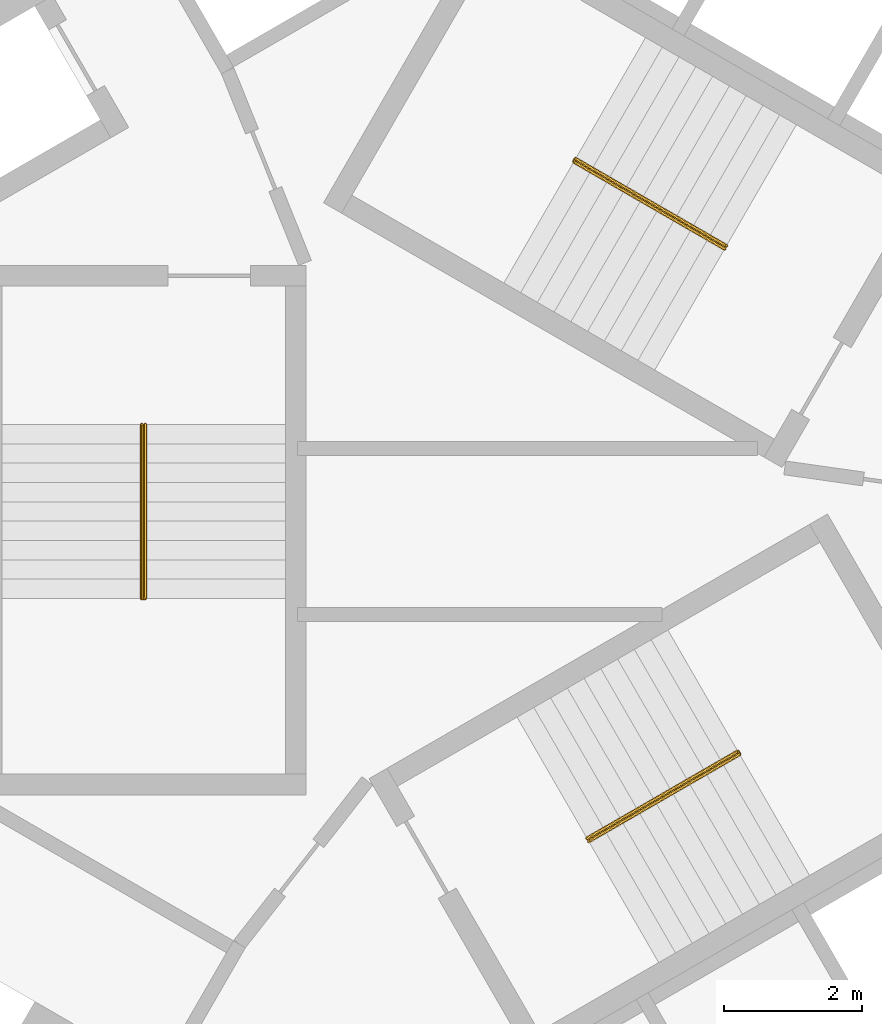
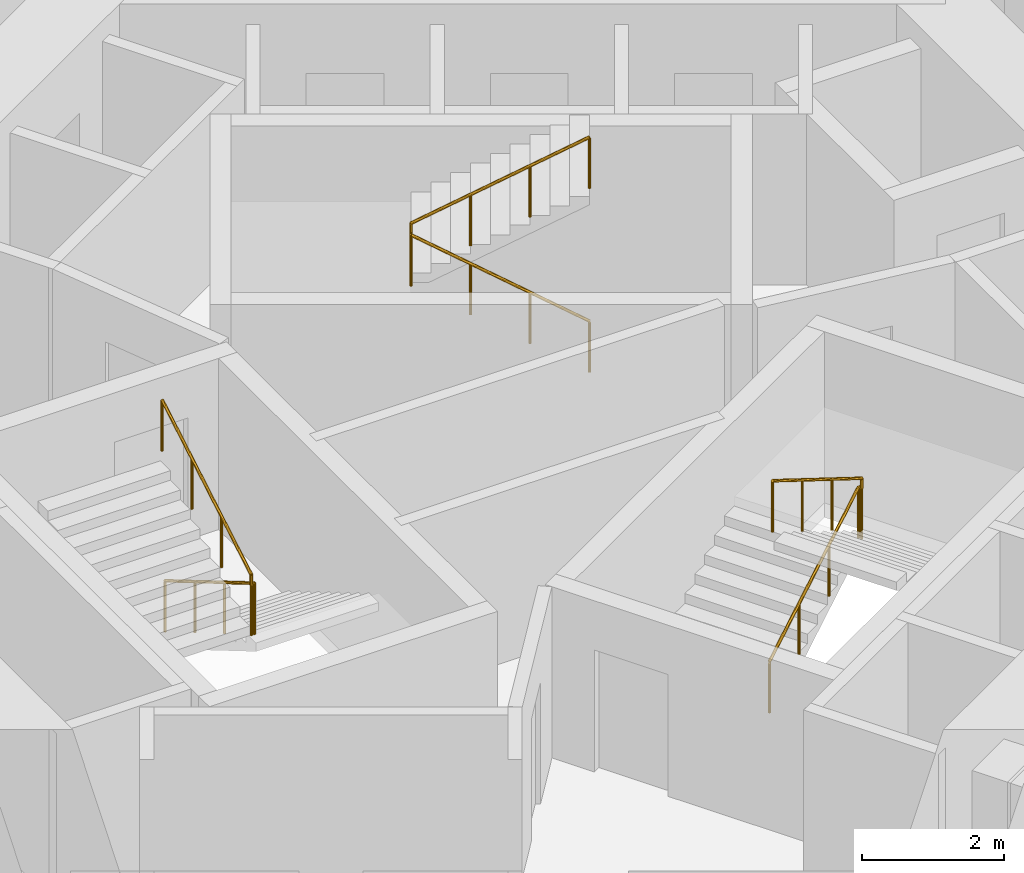
# One storey, part 12 of 12: 3 railings.
"""IFC4 building model written with IfcOpenShell, lengths in metres."""

from ifc_helpers import new_model, si_unit, direction, frame, origin, origin_2d, place, context, subcontext, project, spatial, circle, extrude, material, type_object, element, save


model = new_model("IFC4")

# Units and contexts
model_context = context("Model", 3, precision=1e-05, world=origin(), true_north=direction((0.0, 1.0)))
body_context = subcontext(model_context, "Body", "Model", "MODEL_VIEW")
ifc_project = project(units=[si_unit("LENGTHUNIT", "METRE"), si_unit("AREAUNIT", "SQUARE_METRE"), si_unit("VOLUMEUNIT", "CUBIC_METRE"), si_unit("PLANEANGLEUNIT", "RADIAN"), si_unit("MASSUNIT", "GRAM", prefix="KILO")], contexts=[model_context])

# Site, building, storey
site_placement = place(None, origin())
site = spatial("IfcSite", under=ifc_project, at=site_placement, CompositionType="ELEMENT")
building_placement = place(site_placement, origin())
building = spatial("IfcBuilding", under=site, at=building_placement, Name="Vanh Sen Convention Tower", CompositionType="ELEMENT")
storey_placement = place(building_placement, frame((0.0, 0.0, 73.699951171875)))
storey = spatial("IfcBuildingStorey", under=building, at=storey_placement, Name="L16", CompositionType="ELEMENT", Elevation=73.699951171875)

# Railings
ifc_material = material(Name="Stainless steel handrail", Category="steel")
railing_type = type_object("IfcRailingType", Name="Stair handrail 900", PredefinedType="HANDRAIL", material=ifc_material)
railing_1_placement = place(storey_placement, frame((3.45849609375, 3.690185546875, 0.1650390625)))
element("IfcRailing", 1, at=railing_1_placement, inside=storey, type_object=railing_type, Name="Stair handrail ST1 L16", PredefinedType="HANDRAIL", context=body_context, shape_type="SweptSolid", body=[
    extrude(circle(Radius=0.02392578125, at=origin_2d()), frame((0.0, 0.0, 0.8759765625), z_axis=(-0.746134546661, 0.430738299252, 0.507688640642), x_axis=(-0.499962843328, -0.866046855136, 0.0)), (0.0, 0.0, 1.0), 2.92529296875),
    extrude(circle(Radius=0.02392578125, at=origin_2d()), frame((-2.1826171875, 1.260009765625, 2.36083984375), z_axis=(0.502959906984, 0.86430974307, 0.0), x_axis=(-0.86430974307, 0.502959906984, 0.0)), (0.0, 0.0, 1.0), 0.050048828125),
    extrude(circle(Radius=0.02392578125, at=origin_2d()), frame((-2.157470703125, 1.30322265625, 2.36083984375), z_axis=(0.0, 0.0, 1.0), x_axis=(1.0, 0.0, 0.0)), (0.0, 0.0, 1.0), 0.164794921875),
    extrude(circle(Radius=0.02392578125, at=origin_2d()), frame((-2.157470703125, 1.30322265625, 2.52587890625), z_axis=(0.746097546679, -0.430765123438, 0.507720256902), x_axis=(0.500004791531, 0.866022637375, 0.0)), (0.0, 0.0, 1.0), 2.925048828125),
    extrude(circle(Radius=0.02099609375, at=origin_2d()), origin(), (0.0, 0.0, 1.0), 0.851806640625),
    extrude(circle(Radius=0.02099609375, at=origin_2d()), frame((-0.7275390625, 0.419921875, 0.4951171875)), (0.0, 0.0, 1.0), 0.851806640625),
    extrude(circle(Radius=0.02099609375, at=origin_2d()), frame((-1.455078125, 0.840087890625, 0.989990234375)), (0.0, 0.0, 1.0), 0.851806640625),
    extrude(circle(Radius=0.02099609375, at=origin_2d()), frame((-2.1826171875, 1.260009765625, 1.485107421875)), (0.0, 0.0, 1.0), 0.851806640625),
    extrude(circle(Radius=0.02099609375, at=origin_2d()), frame((-2.157470703125, 1.30322265625, 1.485107421875)), (0.0, 0.0, 1.0), 0.851806640625),
    extrude(circle(Radius=0.02099609375, at=origin_2d()), frame((-2.157470703125, 1.30322265625, 1.64990234375)), (0.0, 0.0, 1.0), 0.851806640625),
    extrude(circle(Radius=0.02099609375, at=origin_2d()), frame((-1.429931640625, 0.88330078125, 2.14501953125)), (0.0, 0.0, 1.0), 0.851806640625),
    extrude(circle(Radius=0.02099609375, at=origin_2d()), frame((-0.70263671875, 0.463134765625, 2.639892578125)), (0.0, 0.0, 1.0), 0.851806640625),
    extrude(circle(Radius=0.02099609375, at=origin_2d()), frame((0.02490234375, 0.043212890625, 3.135009765625)), (0.0, 0.0, 1.0), 0.851806640625),
])
railing_2_placement = place(storey_placement, frame((-4.925048828125, 1.14990234375, 0.1650390625)))
element("IfcRailing", 2, at=railing_2_placement, inside=storey, type_object=railing_type, Name="Stair handrail ST2 L16", PredefinedType="HANDRAIL", context=body_context, shape_type="SweptSolid", body=[
    extrude(circle(Radius=0.02392578125, at=origin_2d()), frame((0.0, 0.0, 0.8759765625), z_axis=(0.0, -0.86152411907, 0.507716645641), x_axis=(1.0, 0.0, 0.0)), (0.0, 0.0, 1.0), 2.925048828125),
    extrude(circle(Radius=0.02392578125, at=origin_2d()), frame((0.0, -2.52001953125, 2.36083984375), z_axis=(-1.0, 0.0, 0.0), x_axis=(0.0, -1.0, 0.0)), (0.0, 0.0, 1.0), 0.050048828125),
    extrude(circle(Radius=0.02392578125, at=origin_2d()), frame((-0.050048828125, -2.52001953125, 2.36083984375), z_axis=(0.0, 0.0, 1.0), x_axis=(1.0, 0.0, 0.0)), (0.0, 0.0, 1.0), 0.164794921875),
    extrude(circle(Radius=0.02392578125, at=origin_2d()), frame((-0.050048828125, -2.52001953125, 2.52587890625), z_axis=(0.0, 0.86152411907, 0.507716645641), x_axis=(-1.0, 0.0, 0.0)), (0.0, 0.0, 1.0), 2.925048828125),
    extrude(circle(Radius=0.02099609375, at=origin_2d()), origin(), (0.0, 0.0, 1.0), 0.851806640625),
    extrude(circle(Radius=0.02099609375, at=origin_2d()), frame((0.0, -0.840087890625, 0.4951171875)), (0.0, 0.0, 1.0), 0.851806640625),
    extrude(circle(Radius=0.02099609375, at=origin_2d()), frame((0.0, -1.679931640625, 0.989990234375)), (0.0, 0.0, 1.0), 0.851806640625),
    extrude(circle(Radius=0.02099609375, at=origin_2d()), frame((0.0, -2.52001953125, 1.485107421875)), (0.0, 0.0, 1.0), 0.851806640625),
    extrude(circle(Radius=0.02099609375, at=origin_2d()), frame((-0.050048828125, -2.52001953125, 1.485107421875)), (0.0, 0.0, 1.0), 0.851806640625),
    extrude(circle(Radius=0.02099609375, at=origin_2d()), frame((-0.050048828125, -2.52001953125, 1.64990234375)), (0.0, 0.0, 1.0), 0.851806640625),
    extrude(circle(Radius=0.02099609375, at=origin_2d()), frame((-0.050048828125, -1.679931640625, 2.14501953125)), (0.0, 0.0, 1.0), 0.851806640625),
    extrude(circle(Radius=0.02099609375, at=origin_2d()), frame((-0.050048828125, -0.840087890625, 2.639892578125)), (0.0, 0.0, 1.0), 0.851806640625),
    extrude(circle(Radius=0.02099609375, at=origin_2d()), frame((-0.050048828125, 0.0, 3.135009765625)), (0.0, 0.0, 1.0), 0.851806640625),
])
railing_3_placement = place(storey_placement, frame((1.466552734375, -4.840087890625, 0.1650390625)))
element("IfcRailing", 3, at=railing_3_placement, inside=storey, type_object=railing_type, Name="Stair handrail ST3 L16", PredefinedType="HANDRAIL", context=body_context, shape_type="SweptSolid", body=[
    extrude(circle(Radius=0.02392578125, at=origin_2d()), frame((0.0, 0.0, 0.8759765625), z_axis=(0.746097546679, 0.430765123438, 0.507720256902), x_axis=(-0.500004791531, 0.866022637375, 0.0)), (0.0, 0.0, 1.0), 2.925048828125),
    extrude(circle(Radius=0.02392578125, at=origin_2d()), frame((2.182373046875, 1.260009765625, 2.36083984375), z_axis=(0.500844580232, -0.86553723574, 0.0), x_axis=(0.86553723574, 0.500844580232, 0.0)), (0.0, 0.0, 1.0), 0.05029296875),
    extrude(circle(Radius=0.02392578125, at=origin_2d()), frame((2.20751953125, 1.216552734375, 2.36083984375), z_axis=(0.0, 0.0, 1.0), x_axis=(1.0, 0.0, 0.0)), (0.0, 0.0, 1.0), 0.164794921875),
    extrude(circle(Radius=0.02392578125, at=origin_2d()), frame((2.20751953125, 1.216552734375, 2.52587890625), z_axis=(-0.746097546679, -0.430765123438, 0.507720256902), x_axis=(0.500004791531, -0.866022637375, 0.0)), (0.0, 0.0, 1.0), 2.925048828125),
    extrude(circle(Radius=0.02099609375, at=origin_2d()), origin(), (0.0, 0.0, 1.0), 0.851806640625),
    extrude(circle(Radius=0.02099609375, at=origin_2d()), frame((0.7275390625, 0.419921875, 0.4951171875)), (0.0, 0.0, 1.0), 0.851806640625),
    extrude(circle(Radius=0.02099609375, at=origin_2d()), frame((1.454833984375, 0.840087890625, 0.989990234375)), (0.0, 0.0, 1.0), 0.851806640625),
    extrude(circle(Radius=0.02099609375, at=origin_2d()), frame((2.182373046875, 1.260009765625, 1.485107421875)), (0.0, 0.0, 1.0), 0.851806640625),
    extrude(circle(Radius=0.02099609375, at=origin_2d()), frame((2.20751953125, 1.216552734375, 1.485107421875)), (0.0, 0.0, 1.0), 0.851806640625),
    extrude(circle(Radius=0.02099609375, at=origin_2d()), frame((2.20751953125, 1.216552734375, 1.64990234375)), (0.0, 0.0, 1.0), 0.851806640625),
    extrude(circle(Radius=0.02099609375, at=origin_2d()), frame((1.47998046875, 0.796630859375, 2.14501953125)), (0.0, 0.0, 1.0), 0.851806640625),
    extrude(circle(Radius=0.02099609375, at=origin_2d()), frame((0.752685546875, 0.37646484375, 2.639892578125)), (0.0, 0.0, 1.0), 0.851806640625),
    extrude(circle(Radius=0.02099609375, at=origin_2d()), frame((0.025146484375, -0.04345703125, 3.135009765625)), (0.0, 0.0, 1.0), 0.851806640625),
])

save(model, "model.ifc")
